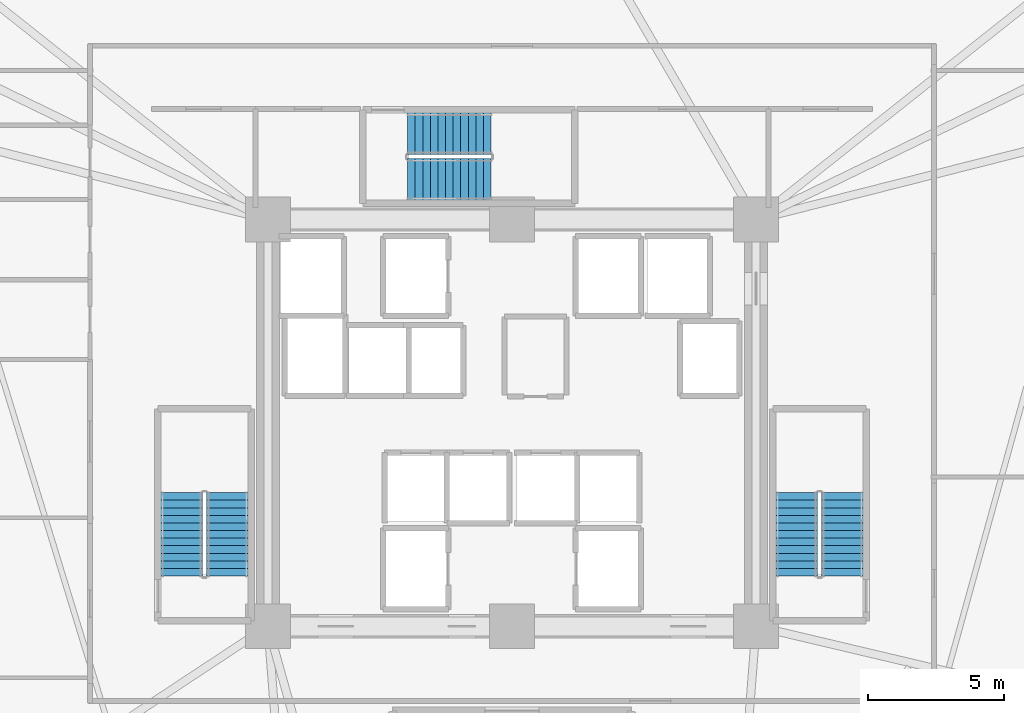
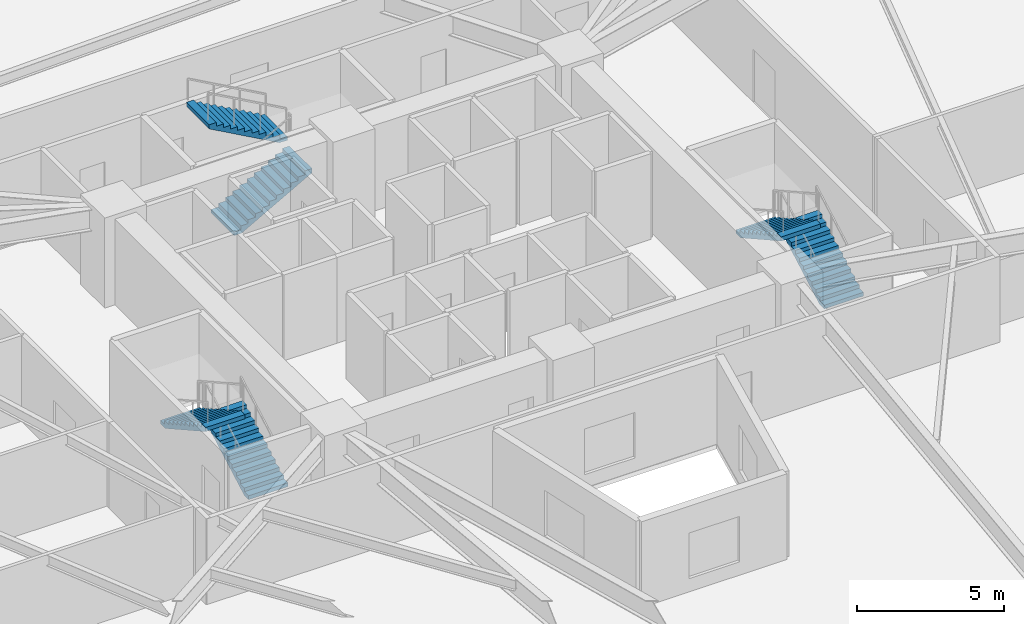
# One storey, part 7 of 8: 6 stair flights, 3 elements without a shape of their own.
"""IFC4 building model written with IfcOpenShell, lengths in metres."""

from ifc_helpers import new_model, si_unit, direction, frame, origin, place, context, subcontext, project, spatial, polyline, outline, extrude, material, type_object, element, aggregate, save


model = new_model("IFC4")

# Units and contexts
model_context = context("Model", 3, precision=1e-05, world=origin(), true_north=direction((0.0, 1.0)))
body_context = subcontext(model_context, "Body", "Model", "MODEL_VIEW")
ifc_project = project(units=[si_unit("LENGTHUNIT", "METRE"), si_unit("AREAUNIT", "SQUARE_METRE"), si_unit("VOLUMEUNIT", "CUBIC_METRE"), si_unit("PLANEANGLEUNIT", "RADIAN"), si_unit("MASSUNIT", "GRAM", prefix="KILO")], contexts=[model_context])

# Site, building, storey
site_placement = place(None, origin())
site = spatial("IfcSite", under=ifc_project, at=site_placement, CompositionType="ELEMENT")
building_placement = place(site_placement, origin())
building = spatial("IfcBuilding", under=site, at=building_placement, Name="Liaohun Quay Tower", CompositionType="ELEMENT")
storey_placement = place(building_placement, frame((0.0, 0.0, 36.0)))
storey = spatial("IfcBuildingStorey", under=building, at=storey_placement, Name="L09", CompositionType="ELEMENT", Elevation=36.0)

# Stair, stair flights
ifc_material = material(Name="Concrete C45", Category="concrete")
stair_type = type_object("IfcStairType", Name="STR-CORE-OFF", PredefinedType="HALF_TURN_STAIR", material=ifc_material)
stair_1_placement = place(storey_placement, origin())
stair_1 = element("IfcStair", 1, at=stair_1_placement, inside=storey, type_object=stair_type, Name="L09 Smokeproof Core Exit Stair ST-1", PredefinedType="HALF_TURN_STAIR")
stair_flight_type = type_object("IfcStairFlightType", Name="FLT-CORE-155", PredefinedType="STRAIGHT", material=ifc_material)
stair_flight_1_placement = place(storey_placement, frame((49.5048828125, 48.35009765625, 0.0), z_axis=(0.0, 0.0, 1.0), x_axis=(0.0, 1.0, 0.0)))
stair_flight_1 = element("IfcStairFlight", 2, at=stair_flight_1_placement, type_object=stair_flight_type, Name="ST-1 flight 1", NumberOfRisers=12, NumberOfTreads=11, PredefinedType="STRAIGHT", RiserHeight=0.15625, TreadLength=0.28, context=body_context, shape_type="SweptSolid", body=[
    extrude(outline(polyline([(0.0, 0.0), (0.0, 0.15625), (0.280029296875, 0.15625), (0.280029296875, 0.3125), (0.56005859375, 0.3125), (0.56005859375, 0.46875), (0.840087890625, 0.46875), (0.840087890625, 0.625), (1.1201171875, 0.625), (1.1201171875, 0.78125), (1.39990234375, 0.78125), (1.39990234375, 0.9375), (1.679931640625, 0.9375), (1.679931640625, 1.09375), (1.9599609375, 1.09375), (1.9599609375, 1.25), (2.239990234375, 1.25), (2.239990234375, 1.40625), (2.52001953125, 1.40625), (2.52001953125, 1.5625), (2.800048828125, 1.5625), (2.800048828125, 1.71875), (3.080078125, 1.71875), (3.080078125, 1.875), (3.080078125, 1.547119140625), (0.3076171875, 0.0), (0.0, 0.0)])), frame((0.0, 0.77490234375, 0.0), z_axis=(0.0, -1.0, 0.0), x_axis=(1.0, 0.0, 0.0)), (0.0, 0.0, 1.0), 1.550048828125),
])
stair_flight_2_placement = place(storey_placement, frame((47.81494140625, 51.429931640625, 1.875), z_axis=(0.0, 0.0, 1.0), x_axis=(0.0, -1.0, 0.0)))
stair_flight_2 = element("IfcStairFlight", 3, at=stair_flight_2_placement, type_object=stair_flight_type, Name="ST-1 flight 2", NumberOfRisers=12, NumberOfTreads=11, PredefinedType="STRAIGHT", RiserHeight=0.15625, TreadLength=0.28, context=body_context, shape_type="SweptSolid", body=[
    extrude(outline(polyline([(0.0, 0.0), (0.0, 0.15625), (0.280029296875, 0.15625), (0.280029296875, 0.3125), (0.56005859375, 0.3125), (0.56005859375, 0.46875), (0.840087890625, 0.46875), (0.840087890625, 0.625), (1.1201171875, 0.625), (1.1201171875, 0.78125), (1.39990234375, 0.78125), (1.39990234375, 0.9375), (1.679931640625, 0.9375), (1.679931640625, 1.09375), (1.9599609375, 1.09375), (1.9599609375, 1.25), (2.239990234375, 1.25), (2.239990234375, 1.40625), (2.52001953125, 1.40625), (2.52001953125, 1.5625), (2.800048828125, 1.5625), (2.800048828125, 1.71875), (3.080078125, 1.71875), (3.080078125, 1.875), (3.080078125, 1.547119140625), (0.3076171875, 0.0), (0.0, 0.0)])), frame((0.0, 0.77490234375, 0.0), z_axis=(0.0, -1.0, 0.0), x_axis=(1.0, 0.0, 0.0)), (0.0, 0.0, 1.0), 1.550048828125),
])
aggregate(stair_1, [stair_flight_1, stair_flight_2])

stair_2_placement = place(storey_placement, origin())
stair_2 = element("IfcStair", 4, at=stair_2_placement, inside=storey, type_object=stair_type, Name="L09 Smokeproof Core Exit Stair ST-2", PredefinedType="HALF_TURN_STAIR")
stair_flight_3_placement = place(storey_placement, frame((72.18505859375, 48.35009765625, 0.0), z_axis=(0.0, 0.0, 1.0), x_axis=(0.0, 1.0, 0.0)))
stair_flight_3 = element("IfcStairFlight", 5, at=stair_flight_3_placement, type_object=stair_flight_type, Name="ST-2 flight 1", NumberOfRisers=12, NumberOfTreads=11, PredefinedType="STRAIGHT", RiserHeight=0.15625, TreadLength=0.28, context=body_context, shape_type="SweptSolid", body=[
    extrude(outline(polyline([(0.0, 0.0), (0.0, 0.15625), (0.280029296875, 0.15625), (0.280029296875, 0.3125), (0.56005859375, 0.3125), (0.56005859375, 0.46875), (0.840087890625, 0.46875), (0.840087890625, 0.625), (1.1201171875, 0.625), (1.1201171875, 0.78125), (1.39990234375, 0.78125), (1.39990234375, 0.9375), (1.679931640625, 0.9375), (1.679931640625, 1.09375), (1.9599609375, 1.09375), (1.9599609375, 1.25), (2.239990234375, 1.25), (2.239990234375, 1.40625), (2.52001953125, 1.40625), (2.52001953125, 1.5625), (2.800048828125, 1.5625), (2.800048828125, 1.71875), (3.080078125, 1.71875), (3.080078125, 1.875), (3.080078125, 1.547119140625), (0.3076171875, 0.0), (0.0, 0.0)])), frame((0.0, 0.77490234375, 0.0), z_axis=(0.0, -1.0, 0.0), x_axis=(1.0, 0.0, 0.0)), (0.0, 0.0, 1.0), 1.550048828125),
])
stair_flight_4_placement = place(storey_placement, frame((70.4951171875, 51.429931640625, 1.875), z_axis=(0.0, 0.0, 1.0), x_axis=(0.0, -1.0, 0.0)))
stair_flight_4 = element("IfcStairFlight", 6, at=stair_flight_4_placement, type_object=stair_flight_type, Name="ST-2 flight 2", NumberOfRisers=12, NumberOfTreads=11, PredefinedType="STRAIGHT", RiserHeight=0.15625, TreadLength=0.28, context=body_context, shape_type="SweptSolid", body=[
    extrude(outline(polyline([(0.0, 0.0), (0.0, 0.15625), (0.280029296875, 0.15625), (0.280029296875, 0.3125), (0.56005859375, 0.3125), (0.56005859375, 0.46875), (0.840087890625, 0.46875), (0.840087890625, 0.625), (1.1201171875, 0.625), (1.1201171875, 0.78125), (1.39990234375, 0.78125), (1.39990234375, 0.9375), (1.679931640625, 0.9375), (1.679931640625, 1.09375), (1.9599609375, 1.09375), (1.9599609375, 1.25), (2.239990234375, 1.25), (2.239990234375, 1.40625), (2.52001953125, 1.40625), (2.52001953125, 1.5625), (2.800048828125, 1.5625), (2.800048828125, 1.71875), (3.080078125, 1.71875), (3.080078125, 1.875), (3.080078125, 1.547119140625), (0.3076171875, 0.0), (0.0, 0.0)])), frame((0.0, 0.77490234375, 0.0), z_axis=(0.0, -1.0, 0.0), x_axis=(1.0, 0.0, 0.0)), (0.0, 0.0, 1.0), 1.550048828125),
])
aggregate(stair_2, [stair_flight_3, stair_flight_4])

stair_3_placement = place(storey_placement, origin())
stair_3 = element("IfcStair", 7, at=stair_3_placement, inside=storey, type_object=stair_type, Name="L09 Smokeproof Core Exit Stair ST-3", PredefinedType="HALF_TURN_STAIR")
stair_flight_5_placement = place(storey_placement, frame((56.14990234375, 62.97509765625, 0.0), z_axis=(0.0, 0.0, 1.0), x_axis=(1.0, 0.0, 0.0)))
stair_flight_5 = element("IfcStairFlight", 8, at=stair_flight_5_placement, type_object=stair_flight_type, Name="ST-3 flight 1", NumberOfRisers=12, NumberOfTreads=11, PredefinedType="STRAIGHT", RiserHeight=0.15625, TreadLength=0.28, context=body_context, shape_type="SweptSolid", body=[
    extrude(outline(polyline([(0.0, 0.0), (0.0, 0.15625), (0.280029296875, 0.15625), (0.280029296875, 0.3125), (0.56005859375, 0.3125), (0.56005859375, 0.46875), (0.840087890625, 0.46875), (0.840087890625, 0.625), (1.1201171875, 0.625), (1.1201171875, 0.78125), (1.39990234375, 0.78125), (1.39990234375, 0.9375), (1.679931640625, 0.9375), (1.679931640625, 1.09375), (1.9599609375, 1.09375), (1.9599609375, 1.25), (2.239990234375, 1.25), (2.239990234375, 1.40625), (2.52001953125, 1.40625), (2.52001953125, 1.5625), (2.800048828125, 1.5625), (2.800048828125, 1.71875), (3.080078125, 1.71875), (3.080078125, 1.875), (3.080078125, 1.547119140625), (0.3076171875, 0.0), (0.0, 0.0)])), frame((0.0, 0.77490234375, 0.0), z_axis=(0.0, -1.0, 0.0), x_axis=(1.0, 0.0, 0.0)), (0.0, 0.0, 1.0), 1.550048828125),
])
stair_flight_6_placement = place(storey_placement, frame((59.22998046875, 64.6650390625, 1.875), z_axis=(0.0, 0.0, 1.0), x_axis=(-1.0, 0.0, 0.0)))
stair_flight_6 = element("IfcStairFlight", 9, at=stair_flight_6_placement, type_object=stair_flight_type, Name="ST-3 flight 2", NumberOfRisers=12, NumberOfTreads=11, PredefinedType="STRAIGHT", RiserHeight=0.15625, TreadLength=0.28, context=body_context, shape_type="SweptSolid", body=[
    extrude(outline(polyline([(0.0, 0.0), (0.0, 0.15625), (0.280029296875, 0.15625), (0.280029296875, 0.3125), (0.56005859375, 0.3125), (0.56005859375, 0.46875), (0.840087890625, 0.46875), (0.840087890625, 0.625), (1.1201171875, 0.625), (1.1201171875, 0.78125), (1.39990234375, 0.78125), (1.39990234375, 0.9375), (1.679931640625, 0.9375), (1.679931640625, 1.09375), (1.9599609375, 1.09375), (1.9599609375, 1.25), (2.239990234375, 1.25), (2.239990234375, 1.40625), (2.52001953125, 1.40625), (2.52001953125, 1.5625), (2.800048828125, 1.5625), (2.800048828125, 1.71875), (3.080078125, 1.71875), (3.080078125, 1.875), (3.080078125, 1.547119140625), (0.3076171875, 0.0), (0.0, 0.0)])), frame((0.0, 0.77490234375, 0.0), z_axis=(0.0, -1.0, 0.0), x_axis=(1.0, 0.0, 0.0)), (0.0, 0.0, 1.0), 1.550048828125),
])
aggregate(stair_3, [stair_flight_5, stair_flight_6])

save(model, "model.ifc")
